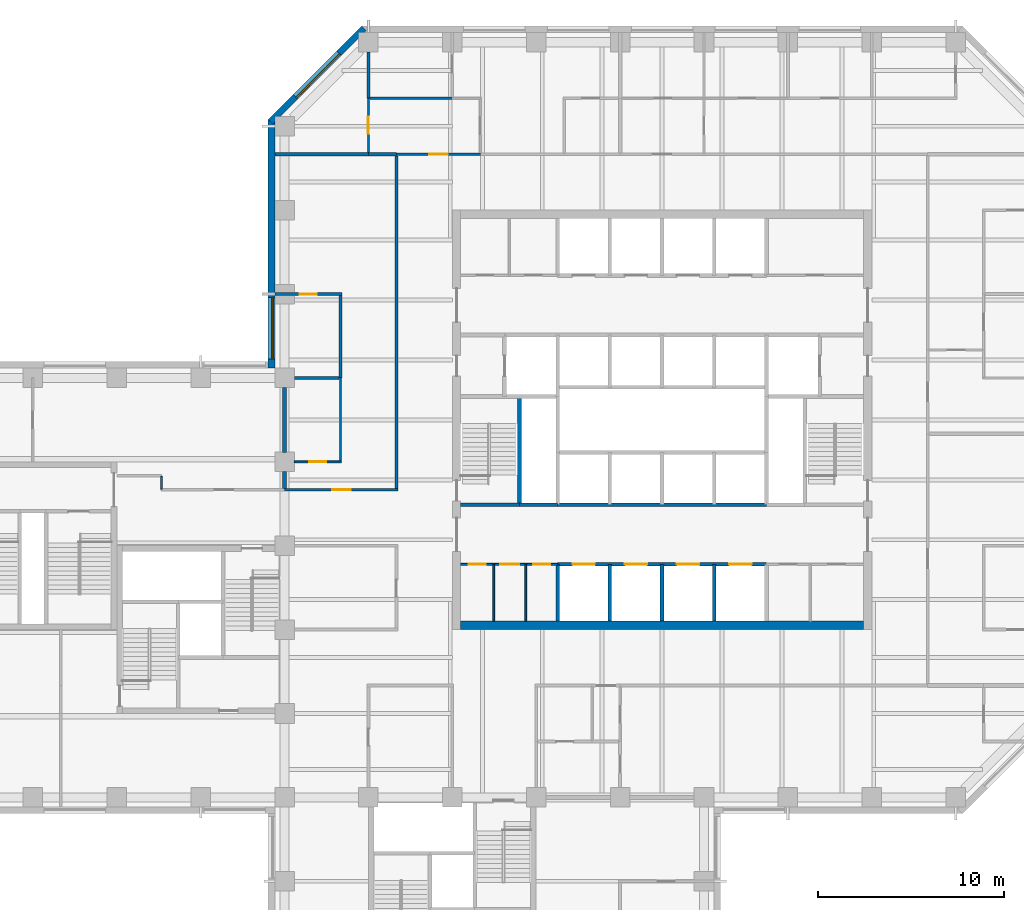
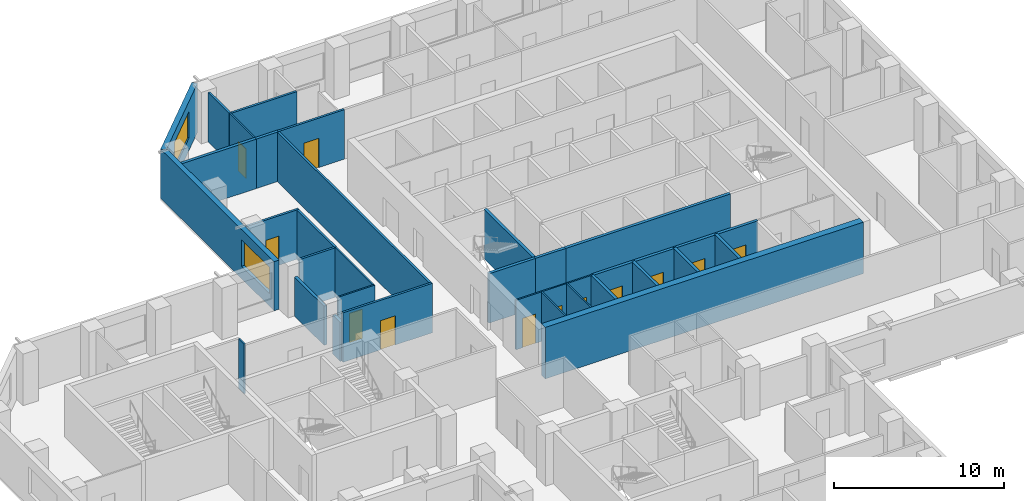
# One storey, part 6 of 11: 31 walls, 12 doors, 2 windows, 14 openings.
"""IFC4 building model written with IfcOpenShell, lengths in metres."""

from ifc_helpers import new_model, si_unit, direction, frame, frame_2d, origin, place, context, subcontext, project, spatial, rectangle, extrude, material, layer, layer_set, constituent, constituent_set, type_object, element, fill, save


model = new_model("IFC4")

# Units and contexts
model_context = context("Model", 3, precision=1e-05, world=origin(), true_north=direction((0.0, 1.0)))
body_context = subcontext(model_context, "Body", "Model", "MODEL_VIEW")
ifc_project = project(units=[si_unit("LENGTHUNIT", "METRE"), si_unit("AREAUNIT", "SQUARE_METRE"), si_unit("VOLUMEUNIT", "CUBIC_METRE"), si_unit("PLANEANGLEUNIT", "RADIAN"), si_unit("MASSUNIT", "GRAM", prefix="KILO")], contexts=[model_context])

# Site, building, storey
site_placement = place(None, origin())
site = spatial("IfcSite", under=ifc_project, at=site_placement, CompositionType="ELEMENT")
building_placement = place(site_placement, origin())
building = spatial("IfcBuilding", under=site, at=building_placement, Name="Quoin Convention Tower", CompositionType="ELEMENT")
storey_placement = place(building_placement, frame((0.0, 0.0, 123.300048828125)))
storey = spatial("IfcBuildingStorey", under=building, at=storey_placement, Name="L32", CompositionType="ELEMENT", Elevation=123.300048828125)

# Wall
ifc_material_1 = material(Name="Plasterboard")
ifc_layer_1 = layer(ifc_material_1, 0.012451171875, Name="Finish")
ifc_material_2 = material(Name="Steel stud framing", Category="steel")
ifc_layer_2 = layer(ifc_material_2, 0.125, Name="Structure")
ifc_layer_3 = layer(ifc_material_1, 0.012451171875, Name="Finish")
ifc_layer_set_1 = layer_set([ifc_layer_1, ifc_layer_2, ifc_layer_3], Name="Steel stud framing")
wall_type_1 = type_object("IfcWallType", Name="Acoustic partition 150", PredefinedType="PARTITIONING", material=ifc_layer_set_1)
wall_1_placement = place(storey_placement, frame((36.52490234375, 63.0, 0.0), z_axis=(0.0, 0.0, 1.0), x_axis=(1.0, 0.0, 0.0)))
element("IfcWall", 1, at=wall_1_placement, inside=storey, type_object=wall_type_1, Name="pw-L32-038", PredefinedType="PARTITIONING", context=body_context, shape_type="SweptSolid", body=[
    extrude(rectangle(XDim=2.400146484375, YDim=0.14990234375, at=frame_2d((1.2001953125, 0.0))), origin(), (0.0, 0.0, 1.0), 3.550048828125),
])

# Wall, opening, door
wall_2_placement = place(storey_placement, frame((35.47509765625, 67.5, 0.0), z_axis=(0.0, 0.0, 1.0), x_axis=(1.0, 0.0, 0.0)))
wall_2 = element("IfcWall", 2, at=wall_2_placement, inside=storey, type_object=wall_type_1, Name="pw-L32-041", PredefinedType="PARTITIONING", context=body_context, shape_type="SweptSolid", body=[
    extrude(rectangle(XDim=3.599853515625, YDim=0.14990234375, at=frame_2d((1.7998046875, 0.0))), origin(), (0.0, 0.0, 1.0), 3.550048828125),
])
opening_1_placement = place(wall_2_placement, frame((1.35009765625, 0.0, 0.0)))
opening_1 = element("IfcOpeningElement", 3, at=opening_1_placement, cuts=wall_2, Name="Opening DOL6-15", PredefinedType="OPENING", context=body_context, shape_type="SweptSolid", body=[
    extrude(rectangle(XDim=0.89990234375, YDim=2.10009765625, at=frame_2d((0.449951171875, 1.050048828125))), frame((0.0, 0.0849609375, 0.0), z_axis=(0.0, -1.0, 0.0), x_axis=(1.0, 0.0, 0.0)), (0.0, 0.0, 1.0), 0.169921875),
])
ifc_material_3 = material(Name="Steel door leaf", Category="steel")
door_type_1 = type_object("IfcDoorType", Name="Office door 900 x 2100", OperationType="SINGLE_SWING_RIGHT", PredefinedType="DOOR", material=ifc_material_3)
door_1_placement = place(opening_1_placement, origin())
door_1 = element("IfcDoor", 4, at=door_1_placement, inside=storey, type_object=door_type_1, Name="dr-L32-42", OperationType="SINGLE_SWING_RIGHT", OverallHeight=2.10009765625, OverallWidth=0.89990234375, PredefinedType="DOOR", context=body_context, shape_type="SweptSolid", body=[
    extrude(rectangle(XDim=0.89990234375, YDim=2.10009765625, at=frame_2d((0.449951171875, 1.050048828125))), frame((0.0, 0.02490234375, 0.0), z_axis=(0.0, -1.0, 0.0), x_axis=(1.0, 0.0, 0.0)), (0.0, 0.0, 1.0), 0.050048828125),
])
fill(opening_1, door_1)

# Walls
for number, where, z_axis, x_axis, name in (
    (5, (40.574951171875, 78.0, 0.0), (0.0, 0.0, 1.0), (1.0, 0.0, 0.0), "pw-L32-052"),
    (6, (39.0, 63.0, 0.0), (0.0, 0.0, 1.0), (0.0, 1.0, 0.0), "pw-L32-093"),
):
    element("IfcWall", number, at=place(storey_placement, frame(where, z_axis=z_axis, x_axis=x_axis)), inside=storey, type_object=wall_type_1, Name=name, PredefinedType="PARTITIONING", context=body_context, shape_type="SweptSolid", body=[
        extrude(rectangle(XDim=4.425048828125, YDim=0.14990234375, at=frame_2d((2.21240234375, 0.0))), origin(), (0.0, 0.0, 1.0), 3.550048828125),
    ])
wall_3_placement = place(storey_placement, frame((40.5, 78.0, 0.0), z_axis=(0.0, 0.0, 1.0), x_axis=(0.0, 1.0, 0.0)))
element("IfcWall", 7, at=wall_3_placement, inside=storey, type_object=wall_type_1, Name="pw-L32-103", PredefinedType="PARTITIONING", context=body_context, shape_type="SweptSolid", body=[
    extrude(rectangle(XDim=2.47509765625, YDim=0.14990234375, at=frame_2d((1.237548828125, 0.0))), origin(), (0.0, 0.0, 1.0), 3.550048828125),
])

# Wall, opening, window
ifc_material_4 = material(Name="Brick masonry", Category="masonry")
ifc_layer_4 = layer(ifc_material_4, 0.35009765625)
ifc_layer_set_2 = layer_set([ifc_layer_4], Name="Brick masonry")
wall_type_2 = type_object("IfcWallType", Name="Brick facade wall", PredefinedType="STANDARD", material=ifc_layer_set_2)
wall_4_placement = place(storey_placement, frame((40.26123046875, 81.751220703125, 0.0), z_axis=(0.0, 0.0, 1.0), x_axis=(-0.707106781187, -0.707106781187, 0.0)))
wall_4 = element("IfcWall", 8, at=wall_4_placement, inside=storey, type_object=wall_type_2, Name="fw-L32-40500_81000", PredefinedType="STANDARD", context=body_context, shape_type="SweptSolid", body=[
    extrude(rectangle(XDim=7.088623046875, YDim=0.35009765625, at=frame_2d((3.54443359375, 0.0))), origin(), (0.0, 0.0, 1.0), 3.52490234375),
])
opening_2_placement = place(wall_4_placement, frame((1.894287109375, 0.0, 0.89990234375)))
opening_2 = element("IfcOpeningElement", 9, at=opening_2_placement, cuts=wall_4, Name="Opening W-02", PredefinedType="OPENING", context=body_context, shape_type="SweptSolid", body=[
    extrude(rectangle(XDim=3.300048828125, YDim=1.89990234375, at=frame_2d((1.64990234375, 0.949951171875))), frame((0.0, 0.18505859375, 0.0), z_axis=(0.0, -1.0, 0.0), x_axis=(1.0, 0.0, 0.0)), (0.0, 0.0, 1.0), 0.3701171875),
])
ifc_material_5 = material(Name="Aluminium", Category="aluminium")
ifc_constituent_1 = constituent(ifc_material_5, Name="Frame")
ifc_material_6 = material(Name="Insulated glass", Category="glass")
ifc_constituent_2 = constituent(ifc_material_6, Name="Glazing")
ifc_constituent_set = constituent_set(constituents=[ifc_constituent_1, ifc_constituent_2], Name="Aluminium")
window_type = type_object("IfcWindowType", Name="Office window", PartitioningType="DOUBLE_PANEL_VERTICAL", PredefinedType="WINDOW", material=ifc_constituent_set)
window_1_placement = place(opening_2_placement, origin())
window_1 = element("IfcWindow", 10, at=window_1_placement, inside=storey, type_object=window_type, Name="win-L32-37755_79245", OverallHeight=1.89990234375, OverallWidth=3.300048828125, PartitioningType="SINGLE_PANEL", PredefinedType="WINDOW", context=body_context, shape_type="SweptSolid", body=[
    extrude(rectangle(XDim=3.300048828125, YDim=1.89990234375, at=frame_2d((1.64990234375, 0.949951171875))), frame((0.0, 0.0849609375, 0.0), z_axis=(0.0, -1.0, 0.0), x_axis=(1.0, 0.0, 0.0)), (0.0, 0.0, 1.0), 0.06005859375),
])
fill(opening_2, window_1)

wall_5_placement = place(storey_placement, frame((35.300048828125, 76.8623046875, 0.0), z_axis=(0.0, 0.0, 1.0), x_axis=(0.0, -1.0, 0.0)))
wall_5 = element("IfcWall", 11, at=wall_5_placement, inside=storey, type_object=wall_type_2, Name="fw-L32-36000_76500", PredefinedType="STANDARD", context=body_context, shape_type="SweptSolid", body=[
    extrude(rectangle(XDim=13.33740234375, YDim=0.35009765625, at=frame_2d((6.668701171875, 0.0))), origin(), (0.0, 0.0, 1.0), 3.52490234375),
])
opening_3_placement = place(wall_5_placement, frame((9.537353515625, 0.0, 0.89990234375)))
opening_3 = element("IfcOpeningElement", 12, at=opening_3_placement, cuts=wall_5, Name="Opening W-02", PredefinedType="OPENING", context=body_context, shape_type="SweptSolid", body=[
    extrude(rectangle(XDim=3.300048828125, YDim=1.89990234375, at=frame_2d((1.64990234375, 0.949951171875))), frame((0.0, 0.18505859375, 0.0), z_axis=(0.0, -1.0, 0.0), x_axis=(1.0, 0.0, 0.0)), (0.0, 0.0, 1.0), 0.3701171875),
])
window_2_placement = place(opening_3_placement, origin())
window_2 = element("IfcWindow", 13, at=window_2_placement, inside=storey, type_object=window_type, Name="win-L32-35300_65250", OverallHeight=1.89990234375, OverallWidth=3.300048828125, PartitioningType="SINGLE_PANEL", PredefinedType="WINDOW", context=body_context, shape_type="SweptSolid", body=[
    extrude(rectangle(XDim=3.300048828125, YDim=1.89990234375, at=frame_2d((1.64990234375, 0.949951171875))), frame((0.0, 0.0849609375, 0.0), z_axis=(0.0, -1.0, 0.0), x_axis=(1.0, 0.0, 0.0)), (0.0, 0.0, 1.0), 0.06005859375),
])
fill(opening_3, window_2)

# Wall, openings, doors
ifc_layer_5 = layer(ifc_material_1, 0.012451171875, Name="Finish")
ifc_layer_6 = layer(ifc_material_2, 0.074951171875, Name="Structure")
ifc_layer_7 = layer(ifc_material_1, 0.012451171875, Name="Finish")
ifc_layer_set_3 = layer_set([ifc_layer_5, ifc_layer_6, ifc_layer_7], Name="Steel stud framing")
wall_type_3 = type_object("IfcWallType", Name="Core partition wall", PredefinedType="PARTITIONING", material=ifc_layer_set_3)
wall_6_placement = place(storey_placement, frame((45.449951171875, 53.0, 0.0), z_axis=(0.0, 0.0, 1.0), x_axis=(1.0, 0.0, 0.0)))
wall_6 = element("IfcWall", 14, at=wall_6_placement, inside=storey, type_object=wall_type_3, Name="cr-C1-L32-h3500_450", PredefinedType="PARTITIONING", context=body_context, shape_type="SweptSolid", body=[
    extrude(rectangle(XDim=5.199951171875, YDim=0.10009765625, at=frame_2d((2.60009765625, 0.0))), origin(), (0.0, 0.0, 1.0), 3.550048828125),
])
opening_4_placement = place(wall_6_placement, frame((0.43408203125, 0.0, 0.0)))
opening_4 = element("IfcOpeningElement", 15, at=opening_4_placement, cuts=wall_6, Name="Opening DCV5-41", PredefinedType="OPENING", context=body_context, shape_type="SweptSolid", body=[
    extrude(rectangle(XDim=0.89990234375, YDim=2.10009765625, at=frame_2d((0.449951171875, 1.050048828125))), frame((0.0, 0.06005859375, 0.0), z_axis=(0.0, -1.0, 0.0), x_axis=(1.0, 0.0, 0.0)), (0.0, 0.0, 1.0), 0.1201171875),
])
opening_5_placement = place(wall_6_placement, frame((2.1259765625, 0.0, 0.0)))
opening_5 = element("IfcOpeningElement", 16, at=opening_5_placement, cuts=wall_6, Name="Opening DCV5-42", PredefinedType="OPENING", context=body_context, shape_type="SweptSolid", body=[
    extrude(rectangle(XDim=1.0, YDim=2.10009765625, at=frame_2d((0.5, 1.050048828125))), frame((0.0, 0.06005859375, 0.0), z_axis=(0.0, -1.0, 0.0), x_axis=(1.0, 0.0, 0.0)), (0.0, 0.0, 1.0), 0.1201171875),
])
opening_6_placement = place(wall_6_placement, frame((3.89208984375, 0.0, 0.0)))
opening_6 = element("IfcOpeningElement", 17, at=opening_6_placement, cuts=wall_6, Name="Opening DCV5-43", PredefinedType="OPENING", context=body_context, shape_type="SweptSolid", body=[
    extrude(rectangle(XDim=0.89990234375, YDim=2.10009765625, at=frame_2d((0.449951171875, 1.050048828125))), frame((0.0, 0.06005859375, 0.0), z_axis=(0.0, -1.0, 0.0), x_axis=(1.0, 0.0, 0.0)), (0.0, 0.0, 1.0), 0.1201171875),
])
door_type_2 = type_object("IfcDoorType", Name="Core room door 1000 x 2100", OperationType="SINGLE_SWING_LEFT", PredefinedType="DOOR", material=ifc_material_3)
door_2_placement = place(opening_5_placement, frame((1.0, 0.0, 0.0), z_axis=(0.0, 0.0, 1.0), x_axis=(-1.0, 0.0, 0.0)))
door_2 = element("IfcDoor", 18, at=door_2_placement, inside=storey, type_object=door_type_2, Name="cd-C1-L32-CSW1-lobA-CD3213", OperationType="SINGLE_SWING_LEFT", OverallHeight=2.10009765625, OverallWidth=1.0, PredefinedType="DOOR", context=body_context, shape_type="SweptSolid", body=[
    extrude(rectangle(XDim=1.0, YDim=2.10009765625, at=frame_2d((0.5, 1.050048828125))), frame((0.0, 0.02490234375, 0.0), z_axis=(0.0, -1.0, 0.0), x_axis=(1.0, 0.0, 0.0)), (0.0, 0.0, 1.0), 0.050048828125),
])
fill(opening_5, door_2)
door_type_3 = type_object("IfcDoorType", Name="Core room door 900 x 2100", OperationType="SINGLE_SWING_LEFT", PredefinedType="DOOR", material=ifc_material_3)
door_3_placement = place(opening_4_placement, frame((0.89990234375, 0.0, 0.0), z_axis=(0.0, 0.0, 1.0), x_axis=(-1.0, 0.0, 0.0)))
door_3 = element("IfcDoor", 19, at=door_3_placement, inside=storey, type_object=door_type_3, Name="cd-C1-L32-CSW0-lobA-CD3212", OperationType="SINGLE_SWING_LEFT", OverallHeight=2.10009765625, OverallWidth=0.89990234375, PredefinedType="DOOR", context=body_context, shape_type="SweptSolid", body=[
    extrude(rectangle(XDim=0.89990234375, YDim=2.10009765625, at=frame_2d((0.449951171875, 1.050048828125))), frame((0.0, 0.02490234375, 0.0), z_axis=(0.0, -1.0, 0.0), x_axis=(1.0, 0.0, 0.0)), (0.0, 0.0, 1.0), 0.050048828125),
])
fill(opening_4, door_3)
door_4_placement = place(opening_6_placement, frame((0.89990234375, 0.0, 0.0), z_axis=(0.0, 0.0, 1.0), x_axis=(-1.0, 0.0, 0.0)))
door_4 = element("IfcDoor", 20, at=door_4_placement, inside=storey, type_object=door_type_3, Name="cd-C1-L32-CSW2-lobA-CD3214", OperationType="SINGLE_SWING_LEFT", OverallHeight=2.10009765625, OverallWidth=0.89990234375, PredefinedType="DOOR", context=body_context, shape_type="SweptSolid", body=[
    extrude(rectangle(XDim=0.89990234375, YDim=2.10009765625, at=frame_2d((0.449951171875, 1.050048828125))), frame((0.0, 0.02490234375, 0.0), z_axis=(0.0, -1.0, 0.0), x_axis=(1.0, 0.0, 0.0)), (0.0, 0.0, 1.0), 0.050048828125),
])
fill(opening_6, door_4)

# Walls
for number, where, z_axis, x_axis, name in (
    (21, (47.218017578125, 49.949951171875, 0.0), (0.0, 0.0, 1.0), (0.0, 1.0, 0.0), "cr-C1-L32-v2218_450"),
    (22, (48.93408203125, 49.949951171875, 0.0), (0.0, 0.0, 1.0), (0.0, 1.0, 0.0), "cr-C1-L32-v3934_450"),
):
    element("IfcWall", number, at=place(storey_placement, frame(where, z_axis=z_axis, x_axis=x_axis)), inside=storey, type_object=wall_type_3, Name=name, PredefinedType="PARTITIONING", context=body_context, shape_type="SweptSolid", body=[
        extrude(rectangle(XDim=3.050048828125, YDim=0.10009765625, at=frame_2d((1.52490234375, 0.0))), origin(), (0.0, 0.0, 1.0), 3.550048828125),
    ])

# Wall, openings, doors
ifc_material_7 = material(Name="Concrete C50", Category="concrete")
ifc_layer_8 = layer(ifc_material_7, 0.199951171875)
ifc_layer_set_4 = layer_set([ifc_layer_8], Name="Concrete C50")
wall_type_4 = type_object("IfcWallType", Name="Core shaft wall", PredefinedType="SOLIDWALL", material=ifc_layer_set_4)
wall_7_placement = place(storey_placement, frame((50.64990234375, 53.0, 0.0), z_axis=(0.0, 0.0, 1.0), x_axis=(1.0, 0.0, 0.0)))
wall_7 = element("IfcWall", 23, at=wall_7_placement, inside=storey, type_object=wall_type_4, Name="cr-C1-L32-h3500_5650", PredefinedType="SOLIDWALL", context=body_context, shape_type="SweptSolid", body=[
    extrude(rectangle(XDim=11.2001953125, YDim=0.199951171875, at=frame_2d((5.60009765625, 0.0))), origin(), (0.0, 0.0, 1.0), 3.550048828125),
])
opening_7_placement = place(wall_7_placement, frame((0.800048828125, 0.0, 0.0)))
opening_7 = element("IfcOpeningElement", 24, at=opening_7_placement, cuts=wall_7, Name="Opening LDL1", PredefinedType="OPENING", context=body_context, shape_type="SweptSolid", body=[
    extrude(rectangle(XDim=1.199951171875, YDim=2.10009765625, at=frame_2d((0.60009765625, 1.050048828125))), frame((0.0, 0.10986328125, 0.0), z_axis=(0.0, -1.0, 0.0), x_axis=(1.0, 0.0, 0.0)), (0.0, 0.0, 1.0), 0.219970703125),
])
opening_8_placement = place(wall_7_placement, frame((3.60009765625, 0.0, 0.0)))
opening_8 = element("IfcOpeningElement", 25, at=opening_8_placement, cuts=wall_7, Name="Opening LDL2", PredefinedType="OPENING", context=body_context, shape_type="SweptSolid", body=[
    extrude(rectangle(XDim=1.199951171875, YDim=2.10009765625, at=frame_2d((0.60009765625, 1.050048828125))), frame((0.0, 0.10986328125, 0.0), z_axis=(0.0, -1.0, 0.0), x_axis=(1.0, 0.0, 0.0)), (0.0, 0.0, 1.0), 0.219970703125),
])
opening_9_placement = place(wall_7_placement, frame((6.39990234375, 0.0, 0.0)))
opening_9 = element("IfcOpeningElement", 26, at=opening_9_placement, cuts=wall_7, Name="Opening LDL3", PredefinedType="OPENING", context=body_context, shape_type="SweptSolid", body=[
    extrude(rectangle(XDim=1.199951171875, YDim=2.10009765625, at=frame_2d((0.60009765625, 1.050048828125))), frame((0.0, 0.10986328125, 0.0), z_axis=(0.0, -1.0, 0.0), x_axis=(1.0, 0.0, 0.0)), (0.0, 0.0, 1.0), 0.219970703125),
])
opening_10_placement = place(wall_7_placement, frame((9.199951171875, 0.0, 0.0)))
opening_10 = element("IfcOpeningElement", 27, at=opening_10_placement, cuts=wall_7, Name="Opening LDL4", PredefinedType="OPENING", context=body_context, shape_type="SweptSolid", body=[
    extrude(rectangle(XDim=1.199951171875, YDim=2.10009765625, at=frame_2d((0.60009765625, 1.050048828125))), frame((0.0, 0.10986328125, 0.0), z_axis=(0.0, -1.0, 0.0), x_axis=(1.0, 0.0, 0.0)), (0.0, 0.0, 1.0), 0.219970703125),
])
door_type_4 = type_object("IfcDoorType", Name="Lift landing door 1200 x 2100", OperationType="DOUBLE_DOOR_SLIDING", PredefinedType="DOOR", material=ifc_material_3)
door_5_placement = place(opening_7_placement, origin())
door_5 = element("IfcDoor", 28, at=door_5_placement, inside=storey, type_object=door_type_4, Name="cd-C1-L32-R10-lobA-LDL1", OperationType="DOUBLE_DOOR_SLIDING", OverallHeight=2.10009765625, OverallWidth=1.199951171875, PredefinedType="DOOR", context=body_context, shape_type="SweptSolid", body=[
    extrude(rectangle(XDim=1.199951171875, YDim=2.10009765625, at=frame_2d((0.60009765625, 1.050048828125))), frame((0.0, 0.02490234375, 0.0), z_axis=(0.0, -1.0, 0.0), x_axis=(1.0, 0.0, 0.0)), (0.0, 0.0, 1.0), 0.050048828125),
])
fill(opening_7, door_5)
door_6_placement = place(opening_8_placement, origin())
door_6 = element("IfcDoor", 29, at=door_6_placement, inside=storey, type_object=door_type_4, Name="cd-C1-L32-R11-lobA-LDL2", OperationType="DOUBLE_DOOR_SLIDING", OverallHeight=2.10009765625, OverallWidth=1.199951171875, PredefinedType="DOOR", context=body_context, shape_type="SweptSolid", body=[
    extrude(rectangle(XDim=1.199951171875, YDim=2.10009765625, at=frame_2d((0.60009765625, 1.050048828125))), frame((0.0, 0.02490234375, 0.0), z_axis=(0.0, -1.0, 0.0), x_axis=(1.0, 0.0, 0.0)), (0.0, 0.0, 1.0), 0.050048828125),
])
fill(opening_8, door_6)
door_7_placement = place(opening_9_placement, origin())
door_7 = element("IfcDoor", 30, at=door_7_placement, inside=storey, type_object=door_type_4, Name="cd-C1-L32-R12-lobA-LDL3", OperationType="DOUBLE_DOOR_SLIDING", OverallHeight=2.10009765625, OverallWidth=1.199951171875, PredefinedType="DOOR", context=body_context, shape_type="SweptSolid", body=[
    extrude(rectangle(XDim=1.199951171875, YDim=2.10009765625, at=frame_2d((0.60009765625, 1.050048828125))), frame((0.0, 0.02490234375, 0.0), z_axis=(0.0, -1.0, 0.0), x_axis=(1.0, 0.0, 0.0)), (0.0, 0.0, 1.0), 0.050048828125),
])
fill(opening_9, door_7)
door_8_placement = place(opening_10_placement, origin())
door_8 = element("IfcDoor", 31, at=door_8_placement, inside=storey, type_object=door_type_4, Name="cd-C1-L32-R13-lobA-LDL4", OperationType="DOUBLE_DOOR_SLIDING", OverallHeight=2.10009765625, OverallWidth=1.199951171875, PredefinedType="DOOR", context=body_context, shape_type="SweptSolid", body=[
    extrude(rectangle(XDim=1.199951171875, YDim=2.10009765625, at=frame_2d((0.60009765625, 1.050048828125))), frame((0.0, 0.02490234375, 0.0), z_axis=(0.0, -1.0, 0.0), x_axis=(1.0, 0.0, 0.0)), (0.0, 0.0, 1.0), 0.050048828125),
])
fill(opening_10, door_8)

# Walls
wall_8_placement = place(storey_placement, frame((48.60009765625, 56.199951171875, 0.0), z_axis=(0.0, 0.0, 1.0), x_axis=(1.0, 0.0, 0.0)))
element("IfcWall", 32, at=wall_8_placement, inside=storey, type_object=wall_type_4, Name="cr-C1-L32-h6700_3600", PredefinedType="SOLIDWALL", context=body_context, shape_type="SweptSolid", body=[
    extrude(rectangle(XDim=2.0498046875, YDim=0.199951171875, at=frame_2d((1.02490234375, 0.0))), origin(), (0.0, 0.0, 1.0), 3.550048828125),
])
wall_9_placement = place(storey_placement, frame((45.449951171875, 56.199951171875, 0.0), z_axis=(0.0, 0.0, 1.0), x_axis=(1.0, 0.0, 0.0)))
element("IfcWall", 33, at=wall_9_placement, inside=storey, type_object=wall_type_4, Name="cr-C1-L32-h6700_450", PredefinedType="SOLIDWALL", context=body_context, shape_type="SweptSolid", body=[
    extrude(rectangle(XDim=3.150146484375, YDim=0.199951171875, at=frame_2d((1.5751953125, 0.0))), origin(), (0.0, 0.0, 1.0), 3.550048828125),
])
wall_10_placement = place(storey_placement, frame((50.64990234375, 56.199951171875, 0.0), z_axis=(0.0, 0.0, 1.0), x_axis=(1.0, 0.0, 0.0)))
element("IfcWall", 34, at=wall_10_placement, inside=storey, type_object=wall_type_4, Name="cr-C1-L32-h6700_5650", PredefinedType="SOLIDWALL", context=body_context, shape_type="SweptSolid", body=[
    extrude(rectangle(XDim=11.2001953125, YDim=0.199951171875, at=frame_2d((5.60009765625, 0.0))), origin(), (0.0, 0.0, 1.0), 3.550048828125),
])
wall_11_placement = place(storey_placement, frame((48.60009765625, 56.199951171875, 0.0), z_axis=(0.0, 0.0, 1.0), x_axis=(0.0, 1.0, 0.0)))
element("IfcWall", 35, at=wall_11_placement, inside=storey, type_object=wall_type_4, Name="cr-C1-L32-v3600_6700", PredefinedType="SOLIDWALL", context=body_context, shape_type="SweptSolid", body=[
    extrude(rectangle(XDim=5.800048828125, YDim=0.199951171875, at=frame_2d((2.89990234375, 0.0))), origin(), (0.0, 0.0, 1.0), 3.550048828125),
])
for number, where, z_axis, x_axis, name in (
    (36, (50.64990234375, 49.949951171875, 0.0), (0.0, 0.0, 1.0), (0.0, 1.0, 0.0), "cr-C1-L32-v5650_450"),
    (37, (53.449951171875, 49.949951171875, 0.0), (0.0, 0.0, 1.0), (0.0, 1.0, 0.0), "cr-C1-L32-v8450_450"),
    (38, (56.25, 49.949951171875, 0.0), (0.0, 0.0, 1.0), (0.0, 1.0, 0.0), "cr-C1-L32-v11250_450"),
    (39, (59.050048828125, 49.949951171875, 0.0), (0.0, 0.0, 1.0), (0.0, 1.0, 0.0), "cr-C1-L32-v14050_450"),
):
    element("IfcWall", number, at=place(storey_placement, frame(where, z_axis=z_axis, x_axis=x_axis)), inside=storey, type_object=wall_type_4, Name=name, PredefinedType="SOLIDWALL", context=body_context, shape_type="SweptSolid", body=[
        extrude(rectangle(XDim=3.050048828125, YDim=0.199951171875, at=frame_2d((1.52490234375, 0.0))), origin(), (0.0, 0.0, 1.0), 3.550048828125),
    ])

# Wall, opening, door
ifc_layer_9 = layer(ifc_material_1, 0.012451171875, Name="Finish")
ifc_layer_10 = layer(ifc_material_2, 0.125, Name="Structure")
ifc_layer_11 = layer(ifc_material_1, 0.012451171875, Name="Finish")
ifc_layer_set_5 = layer_set([ifc_layer_9, ifc_layer_10, ifc_layer_11], Name="Steel stud framing")
wall_type_5 = type_object("IfcWallType", Name="Corridor wall 150", PredefinedType="PARTITIONING", material=ifc_layer_set_5)
wall_12_placement = place(storey_placement, frame((36.0, 57.0, 0.0), z_axis=(0.0, 0.0, 1.0), x_axis=(1.0, 0.0, 0.0)))
wall_12 = element("IfcWall", 40, at=wall_12_placement, inside=storey, type_object=wall_type_5, Name="pw-L32-034", PredefinedType="PARTITIONING", context=body_context, shape_type="SweptSolid", body=[
    extrude(rectangle(XDim=6.074951171875, YDim=0.14990234375, at=frame_2d((3.03759765625, 0.0))), origin(), (0.0, 0.0, 1.0), 3.550048828125),
])
opening_11_placement = place(wall_12_placement, frame((2.550048828125, 0.0, 0.0)))
opening_11 = element("IfcOpeningElement", 41, at=opening_11_placement, cuts=wall_12, Name="Opening DOL6-12", PredefinedType="OPENING", context=body_context, shape_type="SweptSolid", body=[
    extrude(rectangle(XDim=1.0, YDim=2.10009765625, at=frame_2d((0.5, 1.050048828125))), frame((0.0, 0.0849609375, 0.0), z_axis=(0.0, -1.0, 0.0), x_axis=(1.0, 0.0, 0.0)), (0.0, 0.0, 1.0), 0.169921875),
])
door_type_5 = type_object("IfcDoorType", Name="Tenancy entrance door 1000 x 2100", OperationType="DOUBLE_DOOR_SINGLE_SWING", PredefinedType="DOOR", material=ifc_material_3)
door_9_placement = place(opening_11_placement, origin())
door_9 = element("IfcDoor", 42, at=door_9_placement, inside=storey, type_object=door_type_5, Name="dr-L32-40", OperationType="DOUBLE_DOOR_SINGLE_SWING", OverallHeight=2.10009765625, OverallWidth=1.0, PredefinedType="DOOR", context=body_context, shape_type="SweptSolid", body=[
    extrude(rectangle(XDim=1.0, YDim=2.10009765625, at=frame_2d((0.5, 1.050048828125))), frame((0.0, 0.02490234375, 0.0), z_axis=(0.0, -1.0, 0.0), x_axis=(1.0, 0.0, 0.0)), (0.0, 0.0, 1.0), 0.050048828125),
])
fill(opening_11, door_9)

wall_13_placement = place(storey_placement, frame((42.0, 75.0, 0.0), z_axis=(0.0, 0.0, 1.0), x_axis=(1.0, 0.0, 0.0)))
wall_13 = element("IfcWall", 43, at=wall_13_placement, inside=storey, type_object=wall_type_5, Name="pw-L32-046", PredefinedType="PARTITIONING", context=body_context, shape_type="SweptSolid", body=[
    extrude(rectangle(XDim=4.5, YDim=0.14990234375, at=frame_2d((2.25, 0.0))), origin(), (0.0, 0.0, 1.0), 3.550048828125),
])
opening_12_placement = place(wall_13_placement, frame((1.75, 0.0, 0.0)))
opening_12 = element("IfcOpeningElement", 44, at=opening_12_placement, cuts=wall_13, Name="Opening DOL6-17", PredefinedType="OPENING", context=body_context, shape_type="SweptSolid", body=[
    extrude(rectangle(XDim=1.0, YDim=2.10009765625, at=frame_2d((0.5, 1.050048828125))), frame((0.0, 0.0849609375, 0.0), z_axis=(0.0, -1.0, 0.0), x_axis=(1.0, 0.0, 0.0)), (0.0, 0.0, 1.0), 0.169921875),
])
door_10_placement = place(opening_12_placement, origin())
door_10 = element("IfcDoor", 45, at=door_10_placement, inside=storey, type_object=door_type_5, Name="dr-L32-29", OperationType="DOUBLE_DOOR_SINGLE_SWING", OverallHeight=2.10009765625, OverallWidth=1.0, PredefinedType="DOOR", context=body_context, shape_type="SweptSolid", body=[
    extrude(rectangle(XDim=1.0, YDim=2.10009765625, at=frame_2d((0.5, 1.050048828125))), frame((0.0, 0.02490234375, 0.0), z_axis=(0.0, -1.0, 0.0), x_axis=(1.0, 0.0, 0.0)), (0.0, 0.0, 1.0), 0.050048828125),
])
fill(opening_12, door_10)

# Walls
wall_14_placement = place(storey_placement, frame((42.0, 57.074951171875, 0.0), z_axis=(0.0, 0.0, 1.0), x_axis=(0.0, 1.0, 0.0)))
element("IfcWall", 46, at=wall_14_placement, inside=storey, type_object=wall_type_5, Name="pw-L32-087", PredefinedType="PARTITIONING", context=body_context, shape_type="SweptSolid", body=[
    extrude(rectangle(XDim=17.824951171875, YDim=0.14990234375, at=frame_2d((8.91259765625, 0.0))), origin(), (0.0, 0.0, 1.0), 3.550048828125),
])
ifc_material_8 = material(Name="Concrete C65", Category="concrete")
ifc_layer_12 = layer(ifc_material_8, 0.449951171875)
ifc_layer_set_6 = layer_set([ifc_layer_12], Name="Concrete C65")
wall_type_6 = type_object("IfcWallType", Name="RC CORE WALL 450 C65", PredefinedType="SHEAR", material=ifc_layer_set_6)
wall_15_placement = place(storey_placement, frame((45.449951171875, 49.72509765625, 0.0), z_axis=(0.0, 0.0, 1.0), x_axis=(1.0, 0.0, 0.0)))
element("IfcWall", 47, at=wall_15_placement, inside=storey, type_object=wall_type_6, Name="cwl-C1-L32-S", PredefinedType="SHEAR", context=body_context, shape_type="SweptSolid", body=[
    extrude(rectangle(XDim=21.60009765625, YDim=0.449951171875, at=frame_2d((10.800048828125, 0.0))), origin(), (0.0, 0.0, 1.0), 3.699951171875),
])

# Wall, opening, door
ifc_layer_13 = layer(ifc_material_1, 0.012451171875, Name="Finish")
ifc_layer_14 = layer(ifc_material_2, 0.074951171875, Name="Structure")
ifc_layer_15 = layer(ifc_material_1, 0.012451171875, Name="Finish")
ifc_layer_set_7 = layer_set([ifc_layer_13, ifc_layer_14, ifc_layer_15], Name="Steel stud framing")
wall_type_7 = type_object("IfcWallType", Name="Stud partition 100", PredefinedType="PARTITIONING", material=ifc_layer_set_7)
wall_16_placement = place(storey_placement, frame((36.52490234375, 58.5, 0.0), z_axis=(0.0, 0.0, 1.0), x_axis=(1.0, 0.0, 0.0)))
wall_16 = element("IfcWall", 48, at=wall_16_placement, inside=storey, type_object=wall_type_7, Name="pw-L32-035", PredefinedType="PARTITIONING", context=body_context, shape_type="SweptSolid", body=[
    extrude(rectangle(XDim=2.525146484375, YDim=0.10009765625, at=frame_2d((1.2626953125, 0.0))), origin(), (0.0, 0.0, 1.0), 3.550048828125),
])
opening_13_placement = place(wall_16_placement, frame((0.800048828125, 0.0, 0.0)))
opening_13 = element("IfcOpeningElement", 49, at=opening_13_placement, cuts=wall_16, Name="Opening DOL6-13", PredefinedType="OPENING", context=body_context, shape_type="SweptSolid", body=[
    extrude(rectangle(XDim=0.89990234375, YDim=2.10009765625, at=frame_2d((0.449951171875, 1.050048828125))), frame((0.0, 0.06005859375, 0.0), z_axis=(0.0, -1.0, 0.0), x_axis=(1.0, 0.0, 0.0)), (0.0, 0.0, 1.0), 0.1201171875),
])
door_11_placement = place(opening_13_placement, frame((0.89990234375, 0.0, 0.0), z_axis=(0.0, 0.0, 1.0), x_axis=(-1.0, 0.0, 0.0)))
door_11 = element("IfcDoor", 50, at=door_11_placement, inside=storey, type_object=door_type_1, Name="dr-L32-41", OperationType="SINGLE_SWING_LEFT", OverallHeight=2.10009765625, OverallWidth=0.89990234375, PredefinedType="DOOR", context=body_context, shape_type="SweptSolid", body=[
    extrude(rectangle(XDim=0.89990234375, YDim=2.10009765625, at=frame_2d((0.449951171875, 1.050048828125))), frame((0.0, 0.02490234375, 0.0), z_axis=(0.0, -1.0, 0.0), x_axis=(1.0, 0.0, 0.0)), (0.0, 0.0, 1.0), 0.050048828125),
])
fill(opening_13, door_11)

# Wall
wall_17_placement = place(storey_placement, frame((39.0, 58.550048828125, 0.0), z_axis=(0.0, 0.0, 1.0), x_axis=(0.0, 1.0, 0.0)))
element("IfcWall", 51, at=wall_17_placement, inside=storey, type_object=wall_type_7, Name="pw-L32-088", PredefinedType="PARTITIONING", context=body_context, shape_type="SweptSolid", body=[
    extrude(rectangle(XDim=4.449951171875, YDim=0.10009765625, at=frame_2d((2.22509765625, 0.0))), origin(), (0.0, 0.0, 1.0), 3.550048828125),
])

# Wall, opening, door
wall_18_placement = place(storey_placement, frame((40.5, 75.10009765625, 0.0), z_axis=(0.0, 0.0, 1.0), x_axis=(0.0, 1.0, 0.0)))
wall_18 = element("IfcWall", 52, at=wall_18_placement, inside=storey, type_object=wall_type_7, Name="pw-L32-102", PredefinedType="PARTITIONING", context=body_context, shape_type="SweptSolid", body=[
    extrude(rectangle(XDim=2.89990234375, YDim=0.10009765625, at=frame_2d((1.449951171875, 0.0))), origin(), (0.0, 0.0, 1.0), 3.550048828125),
])
opening_14_placement = place(wall_18_placement, frame((1.0, 0.0, 0.0)))
opening_14 = element("IfcOpeningElement", 53, at=opening_14_placement, cuts=wall_18, Name="Opening DOL6-35", PredefinedType="OPENING", context=body_context, shape_type="SweptSolid", body=[
    extrude(rectangle(XDim=0.89990234375, YDim=2.10009765625, at=frame_2d((0.449951171875, 1.050048828125))), frame((0.0, 0.06005859375, 0.0), z_axis=(0.0, -1.0, 0.0), x_axis=(1.0, 0.0, 0.0)), (0.0, 0.0, 1.0), 0.1201171875),
])
door_12_placement = place(opening_14_placement, origin())
door_12 = element("IfcDoor", 54, at=door_12_placement, inside=storey, type_object=door_type_1, Name="dr-L32-31", OperationType="SINGLE_SWING_RIGHT", OverallHeight=2.10009765625, OverallWidth=0.89990234375, PredefinedType="DOOR", context=body_context, shape_type="SweptSolid", body=[
    extrude(rectangle(XDim=0.89990234375, YDim=2.10009765625, at=frame_2d((0.449951171875, 1.050048828125))), frame((0.0, 0.02490234375, 0.0), z_axis=(0.0, -1.0, 0.0), x_axis=(1.0, 0.0, 0.0)), (0.0, 0.0, 1.0), 0.050048828125),
])
fill(opening_14, door_12)

# Walls
wall_19_placement = place(storey_placement, frame((29.39990234375, 57.715087890625, 0.0), z_axis=(0.0, 0.0, 1.0), x_axis=(0.0, -1.0, 0.0)))
element("IfcWall", 55, at=wall_19_placement, inside=storey, type_object=wall_type_7, Name="pw-L32-w04", PredefinedType="PARTITIONING", context=body_context, shape_type="SweptSolid", body=[
    extrude(rectangle(XDim=0.68017578125, YDim=0.10009765625, at=frame_2d((0.340087890625, 0.0))), origin(), (0.0, 0.0, 1.0), 3.550048828125),
])
ifc_layer_16 = layer(ifc_material_1, 0.012451171875, Name="Finish")
ifc_layer_17 = layer(ifc_material_2, 0.175048828125, Name="Structure")
ifc_layer_18 = layer(ifc_material_1, 0.012451171875, Name="Finish")
ifc_layer_set_8 = layer_set([ifc_layer_16, ifc_layer_17, ifc_layer_18], Name="Steel stud framing")
wall_type_8 = type_object("IfcWallType", Name="Tenancy demising wall 200", PredefinedType="PARTITIONING", material=ifc_layer_set_8)
wall_20_placement = place(storey_placement, frame((35.47509765625, 75.0, 0.0), z_axis=(0.0, 0.0, 1.0), x_axis=(1.0, 0.0, 0.0)))
element("IfcWall", 56, at=wall_20_placement, inside=storey, type_object=wall_type_8, Name="pw-L32-044", PredefinedType="PARTITIONING", context=body_context, shape_type="SweptSolid", body=[
    extrude(rectangle(XDim=5.02490234375, YDim=0.199951171875, at=frame_2d((2.512451171875, 0.0))), origin(), (0.0, 0.0, 1.0), 3.550048828125),
])
wall_21_placement = place(storey_placement, frame((40.5, 75.0, 0.0), z_axis=(0.0, 0.0, 1.0), x_axis=(1.0, 0.0, 0.0)))
element("IfcWall", 57, at=wall_21_placement, inside=storey, type_object=wall_type_8, Name="pw-L32-045", PredefinedType="PARTITIONING", context=body_context, shape_type="SweptSolid", body=[
    extrude(rectangle(XDim=1.5, YDim=0.199951171875, at=frame_2d((0.75, 0.0))), origin(), (0.0, 0.0, 1.0), 3.550048828125),
])
ifc_layer_19 = layer(ifc_material_1, 0.012451171875, Name="Finish")
ifc_layer_20 = layer(ifc_material_2, 0.175048828125, Name="Structure")
ifc_layer_21 = layer(ifc_material_1, 0.012451171875, Name="Finish")
ifc_layer_set_9 = layer_set([ifc_layer_19, ifc_layer_20, ifc_layer_21], Name="Steel stud framing")
wall_type_9 = type_object("IfcWallType", Name="Tenancy demising wall 200 under beam 750", PredefinedType="PARTITIONING", material=ifc_layer_set_9)
wall_22_placement = place(storey_placement, frame((36.0, 57.074951171875, 0.0), z_axis=(0.0, 0.0, 1.0), x_axis=(0.0, 1.0, 0.0)))
element("IfcWall", 58, at=wall_22_placement, inside=storey, type_object=wall_type_9, Name="pw-L32-086", PredefinedType="PARTITIONING", context=body_context, shape_type="SweptSolid", body=[
    extrude(rectangle(XDim=0.900146484375, YDim=0.199951171875, at=frame_2d((0.4501953125, 0.0))), origin(), (0.0, 0.0, 1.0), 2.800048828125),
])
wall_23_placement = place(storey_placement, frame((36.0, 58.9951171875, 0.0), z_axis=(0.0, 0.0, 1.0), x_axis=(0.0, 1.0, 0.0)))
element("IfcWall", 59, at=wall_23_placement, inside=storey, type_object=wall_type_9, Name="pw-L32-089", PredefinedType="PARTITIONING", context=body_context, shape_type="SweptSolid", body=[
    extrude(rectangle(XDim=3.47998046875, YDim=0.199951171875, at=frame_2d((1.739990234375, 0.0))), origin(), (0.0, 0.0, 1.0), 2.800048828125),
])

save(model, "model.ifc")
